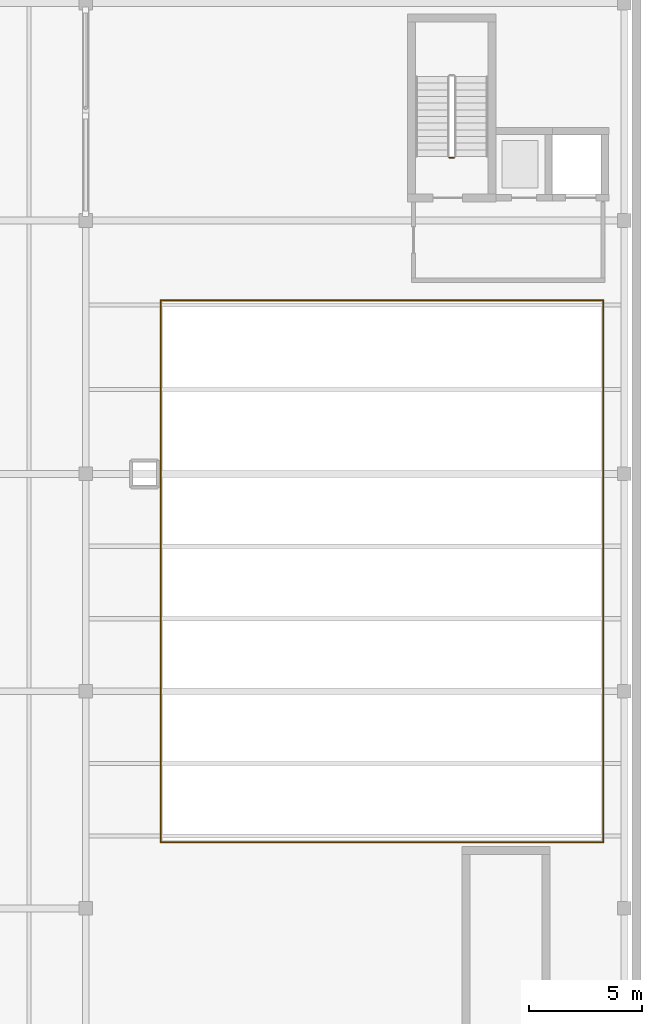
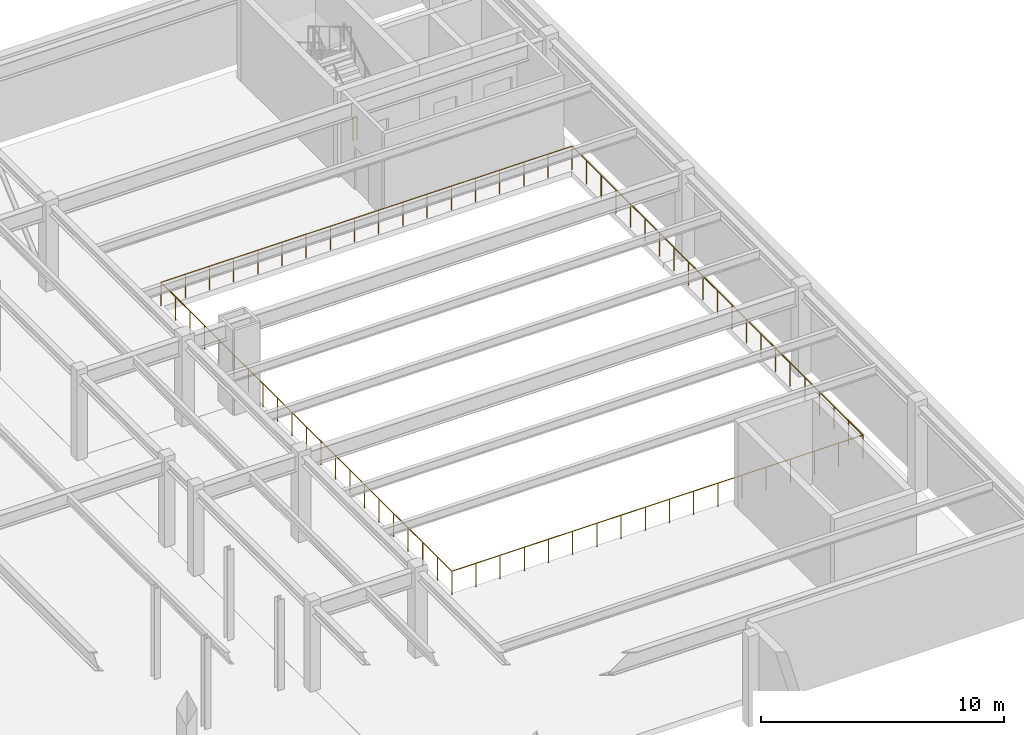
# One storey, part 28 of 32: 5 railings.
"""IFC4 building model written with IfcOpenShell, lengths in metres."""

from ifc_helpers import new_model, si_unit, direction, frame, origin, origin_2d, place, context, subcontext, project, spatial, circle, extrude, material, layer, layer_set, type_object, element, save


model = new_model("IFC4")

# Units and contexts
model_context = context("Model", 3, precision=1e-05, world=origin(), true_north=direction((0.0, 1.0)))
body_context = subcontext(model_context, "Body", "Model", "MODEL_VIEW")
ifc_project = project(units=[si_unit("LENGTHUNIT", "METRE"), si_unit("AREAUNIT", "SQUARE_METRE"), si_unit("VOLUMEUNIT", "CUBIC_METRE"), si_unit("PLANEANGLEUNIT", "RADIAN"), si_unit("MASSUNIT", "GRAM", prefix="KILO")], contexts=[model_context])

# Site, building, storey
site_placement = place(None, origin())
site = spatial("IfcSite", under=ifc_project, at=site_placement, CompositionType="ELEMENT")
building_placement = place(site_placement, origin())
building = spatial("IfcBuilding", under=site, at=building_placement, Name="Nordkorset Police Headquarters", CompositionType="ELEMENT")
storey_placement = place(building_placement, frame((0.0, 0.0, -4.550048828125)))
storey = spatial("IfcBuildingStorey", under=building, at=storey_placement, Name="B01", CompositionType="ELEMENT", Elevation=-4.550048828125)

# Railings
ifc_material = material(Name="Steel S355J2", Category="steel")
ifc_layer = layer(ifc_material, 0.050048828125, Name="Steel S355J2")
ifc_layer_set = layer_set([ifc_layer], Name="Steel S355J2")
railing_type = type_object("IfcRailingType", Name="Railing_StairGuard_1200", PredefinedType="GUARDRAIL", material=ifc_layer_set)
railing_1_placement = place(storey_placement, frame((107.675048828125, 90.77490234375, 0.0)))
element("IfcRailing", 1, at=railing_1_placement, inside=storey, type_object=railing_type, Name="B01 ST-05 stair guard 4", PredefinedType="GUARDRAIL", context=body_context, shape_type="SweptSolid", body=[
    extrude(circle(Radius=0.02392578125, at=origin_2d()), frame((0.0, 0.0, 1.17578125), z_axis=(-1.0, 0.0, 0.0), x_axis=(0.0, -1.0, 0.0)), (0.0, 0.0, 1.0), 0.199951171875),
    extrude(circle(Radius=0.02099609375, at=origin_2d()), origin(), (0.0, 0.0, 1.0), 1.15185546875),
    extrude(circle(Radius=0.02099609375, at=origin_2d()), frame((-0.199951171875, 0.0, 0.0)), (0.0, 0.0, 1.0), 1.15185546875),
])
railing_2_placement = place(storey_placement, frame((94.719970703125, 60.52001953125, 0.0)))
element("IfcRailing", 2, at=railing_2_placement, inside=storey, type_object=railing_type, Name="Double-Height Void Guardrail B01-1", PredefinedType="GUARDRAIL", context=body_context, shape_type="SweptSolid", body=[
    extrude(circle(Radius=0.02392578125, at=origin_2d()), frame((0.0, 0.0, 1.17578125), z_axis=(1.0, 0.0, 0.0), x_axis=(0.0, 1.0, 0.0)), (0.0, 0.0, 1.0), 19.56005859375),
    extrude(circle(Radius=0.02099609375, at=origin_2d()), origin(), (0.0, 0.0, 1.0), 1.15185546875),
    extrude(circle(Radius=0.02099609375, at=origin_2d()), frame((1.150634765625, 0.0, 0.0)), (0.0, 0.0, 1.0), 1.15185546875),
    extrude(circle(Radius=0.02099609375, at=origin_2d()), frame((2.30126953125, 0.0, 0.0)), (0.0, 0.0, 1.0), 1.15185546875),
    extrude(circle(Radius=0.02099609375, at=origin_2d()), frame((3.45166015625, 0.0, 0.0)), (0.0, 0.0, 1.0), 1.15185546875),
    extrude(circle(Radius=0.02099609375, at=origin_2d()), frame((4.602294921875, 0.0, 0.0)), (0.0, 0.0, 1.0), 1.15185546875),
    extrude(circle(Radius=0.02099609375, at=origin_2d()), frame((5.7529296875, 0.0, 0.0)), (0.0, 0.0, 1.0), 1.15185546875),
    extrude(circle(Radius=0.02099609375, at=origin_2d()), frame((6.903564453125, 0.0, 0.0)), (0.0, 0.0, 1.0), 1.15185546875),
    extrude(circle(Radius=0.02099609375, at=origin_2d()), frame((8.05419921875, 0.0, 0.0)), (0.0, 0.0, 1.0), 1.15185546875),
    extrude(circle(Radius=0.02099609375, at=origin_2d()), frame((9.204833984375, 0.0, 0.0)), (0.0, 0.0, 1.0), 1.15185546875),
    extrude(circle(Radius=0.02099609375, at=origin_2d()), frame((10.355224609375, 0.0, 0.0)), (0.0, 0.0, 1.0), 1.15185546875),
    extrude(circle(Radius=0.02099609375, at=origin_2d()), frame((11.505859375, 0.0, 0.0)), (0.0, 0.0, 1.0), 1.15185546875),
    extrude(circle(Radius=0.02099609375, at=origin_2d()), frame((12.656494140625, 0.0, 0.0)), (0.0, 0.0, 1.0), 1.15185546875),
    extrude(circle(Radius=0.02099609375, at=origin_2d()), frame((13.80712890625, 0.0, 0.0)), (0.0, 0.0, 1.0), 1.15185546875),
    extrude(circle(Radius=0.02099609375, at=origin_2d()), frame((14.957763671875, 0.0, 0.0)), (0.0, 0.0, 1.0), 1.15185546875),
    extrude(circle(Radius=0.02099609375, at=origin_2d()), frame((16.1083984375, 0.0, 0.0)), (0.0, 0.0, 1.0), 1.15185546875),
    extrude(circle(Radius=0.02099609375, at=origin_2d()), frame((17.2587890625, 0.0, 0.0)), (0.0, 0.0, 1.0), 1.15185546875),
    extrude(circle(Radius=0.02099609375, at=origin_2d()), frame((18.409423828125, 0.0, 0.0)), (0.0, 0.0, 1.0), 1.15185546875),
    extrude(circle(Radius=0.02099609375, at=origin_2d()), frame((19.56005859375, 0.0, 0.0)), (0.0, 0.0, 1.0), 1.15185546875),
])
railing_3_placement = place(storey_placement, frame((114.280029296875, 60.52001953125, 0.0)))
element("IfcRailing", 3, at=railing_3_placement, inside=storey, type_object=railing_type, Name="Double-Height Void Guardrail B01-2", PredefinedType="GUARDRAIL", context=body_context, shape_type="SweptSolid", body=[
    extrude(circle(Radius=0.02392578125, at=origin_2d()), frame((0.0, 0.0, 1.17578125), z_axis=(0.0, 1.0, 0.0), x_axis=(-1.0, 0.0, 0.0)), (0.0, 0.0, 1.0), 23.9599609375),
    extrude(circle(Radius=0.02099609375, at=origin_2d()), origin(), (0.0, 0.0, 1.0), 1.15185546875),
    extrude(circle(Radius=0.02099609375, at=origin_2d()), frame((0.0, 1.197998046875, 0.0)), (0.0, 0.0, 1.0), 1.15185546875),
    extrude(circle(Radius=0.02099609375, at=origin_2d()), frame((0.0, 2.39599609375, 0.0)), (0.0, 0.0, 1.0), 1.15185546875),
    extrude(circle(Radius=0.02099609375, at=origin_2d()), frame((0.0, 3.593994140625, 0.0)), (0.0, 0.0, 1.0), 1.15185546875),
    extrude(circle(Radius=0.02099609375, at=origin_2d()), frame((0.0, 4.7919921875, 0.0)), (0.0, 0.0, 1.0), 1.15185546875),
    extrude(circle(Radius=0.02099609375, at=origin_2d()), frame((0.0, 5.989990234375, 0.0)), (0.0, 0.0, 1.0), 1.15185546875),
    extrude(circle(Radius=0.02099609375, at=origin_2d()), frame((0.0, 7.18798828125, 0.0)), (0.0, 0.0, 1.0), 1.15185546875),
    extrude(circle(Radius=0.02099609375, at=origin_2d()), frame((0.0, 8.385986328125, 0.0)), (0.0, 0.0, 1.0), 1.15185546875),
    extrude(circle(Radius=0.02099609375, at=origin_2d()), frame((0.0, 9.583984375, 0.0)), (0.0, 0.0, 1.0), 1.15185546875),
    extrude(circle(Radius=0.02099609375, at=origin_2d()), frame((0.0, 10.781982421875, 0.0)), (0.0, 0.0, 1.0), 1.15185546875),
    extrude(circle(Radius=0.02099609375, at=origin_2d()), frame((0.0, 11.97998046875, 0.0)), (0.0, 0.0, 1.0), 1.15185546875),
    extrude(circle(Radius=0.02099609375, at=origin_2d()), frame((0.0, 13.177978515625, 0.0)), (0.0, 0.0, 1.0), 1.15185546875),
    extrude(circle(Radius=0.02099609375, at=origin_2d()), frame((0.0, 14.3759765625, 0.0)), (0.0, 0.0, 1.0), 1.15185546875),
    extrude(circle(Radius=0.02099609375, at=origin_2d()), frame((0.0, 15.573974609375, 0.0)), (0.0, 0.0, 1.0), 1.15185546875),
    extrude(circle(Radius=0.02099609375, at=origin_2d()), frame((0.0, 16.77197265625, 0.0)), (0.0, 0.0, 1.0), 1.15185546875),
    extrude(circle(Radius=0.02099609375, at=origin_2d()), frame((0.0, 17.969970703125, 0.0)), (0.0, 0.0, 1.0), 1.15185546875),
    extrude(circle(Radius=0.02099609375, at=origin_2d()), frame((0.0, 19.16796875, 0.0)), (0.0, 0.0, 1.0), 1.15185546875),
    extrude(circle(Radius=0.02099609375, at=origin_2d()), frame((0.0, 20.365966796875, 0.0)), (0.0, 0.0, 1.0), 1.15185546875),
    extrude(circle(Radius=0.02099609375, at=origin_2d()), frame((0.0, 21.56396484375, 0.0)), (0.0, 0.0, 1.0), 1.15185546875),
    extrude(circle(Radius=0.02099609375, at=origin_2d()), frame((0.0, 22.761962890625, 0.0)), (0.0, 0.0, 1.0), 1.15185546875),
    extrude(circle(Radius=0.02099609375, at=origin_2d()), frame((0.0, 23.9599609375, 0.0)), (0.0, 0.0, 1.0), 1.15185546875),
])
railing_4_placement = place(storey_placement, frame((114.280029296875, 84.47998046875, 0.0)))
element("IfcRailing", 4, at=railing_4_placement, inside=storey, type_object=railing_type, Name="Double-Height Void Guardrail B01-3", PredefinedType="GUARDRAIL", context=body_context, shape_type="SweptSolid", body=[
    extrude(circle(Radius=0.02392578125, at=origin_2d()), frame((0.0, 0.0, 1.17578125), z_axis=(-1.0, 0.0, 0.0), x_axis=(0.0, -1.0, 0.0)), (0.0, 0.0, 1.0), 19.56005859375),
    extrude(circle(Radius=0.02099609375, at=origin_2d()), origin(), (0.0, 0.0, 1.0), 1.15185546875),
    extrude(circle(Radius=0.02099609375, at=origin_2d()), frame((-1.150634765625, 0.0, 0.0)), (0.0, 0.0, 1.0), 1.15185546875),
    extrude(circle(Radius=0.02099609375, at=origin_2d()), frame((-2.30126953125, 0.0, 0.0)), (0.0, 0.0, 1.0), 1.15185546875),
    extrude(circle(Radius=0.02099609375, at=origin_2d()), frame((-3.45166015625, 0.0, 0.0)), (0.0, 0.0, 1.0), 1.15185546875),
    extrude(circle(Radius=0.02099609375, at=origin_2d()), frame((-4.602294921875, 0.0, 0.0)), (0.0, 0.0, 1.0), 1.15185546875),
    extrude(circle(Radius=0.02099609375, at=origin_2d()), frame((-5.7529296875, 0.0, 0.0)), (0.0, 0.0, 1.0), 1.15185546875),
    extrude(circle(Radius=0.02099609375, at=origin_2d()), frame((-6.903564453125, 0.0, 0.0)), (0.0, 0.0, 1.0), 1.15185546875),
    extrude(circle(Radius=0.02099609375, at=origin_2d()), frame((-8.05419921875, 0.0, 0.0)), (0.0, 0.0, 1.0), 1.15185546875),
    extrude(circle(Radius=0.02099609375, at=origin_2d()), frame((-9.204833984375, 0.0, 0.0)), (0.0, 0.0, 1.0), 1.15185546875),
    extrude(circle(Radius=0.02099609375, at=origin_2d()), frame((-10.355224609375, 0.0, 0.0)), (0.0, 0.0, 1.0), 1.15185546875),
    extrude(circle(Radius=0.02099609375, at=origin_2d()), frame((-11.505859375, 0.0, 0.0)), (0.0, 0.0, 1.0), 1.15185546875),
    extrude(circle(Radius=0.02099609375, at=origin_2d()), frame((-12.656494140625, 0.0, 0.0)), (0.0, 0.0, 1.0), 1.15185546875),
    extrude(circle(Radius=0.02099609375, at=origin_2d()), frame((-13.80712890625, 0.0, 0.0)), (0.0, 0.0, 1.0), 1.15185546875),
    extrude(circle(Radius=0.02099609375, at=origin_2d()), frame((-14.957763671875, 0.0, 0.0)), (0.0, 0.0, 1.0), 1.15185546875),
    extrude(circle(Radius=0.02099609375, at=origin_2d()), frame((-16.1083984375, 0.0, 0.0)), (0.0, 0.0, 1.0), 1.15185546875),
    extrude(circle(Radius=0.02099609375, at=origin_2d()), frame((-17.2587890625, 0.0, 0.0)), (0.0, 0.0, 1.0), 1.15185546875),
    extrude(circle(Radius=0.02099609375, at=origin_2d()), frame((-18.409423828125, 0.0, 0.0)), (0.0, 0.0, 1.0), 1.15185546875),
    extrude(circle(Radius=0.02099609375, at=origin_2d()), frame((-19.56005859375, 0.0, 0.0)), (0.0, 0.0, 1.0), 1.15185546875),
])
railing_5_placement = place(storey_placement, frame((94.719970703125, 84.47998046875, 0.0)))
element("IfcRailing", 5, at=railing_5_placement, inside=storey, type_object=railing_type, Name="Double-Height Void Guardrail B01-4", PredefinedType="GUARDRAIL", context=body_context, shape_type="SweptSolid", body=[
    extrude(circle(Radius=0.02392578125, at=origin_2d()), frame((0.0, 0.0, 1.17578125), z_axis=(0.0, -1.0, 0.0), x_axis=(1.0, 0.0, 0.0)), (0.0, 0.0, 1.0), 23.9599609375),
    extrude(circle(Radius=0.02099609375, at=origin_2d()), origin(), (0.0, 0.0, 1.0), 1.15185546875),
    extrude(circle(Radius=0.02099609375, at=origin_2d()), frame((0.0, -1.197998046875, 0.0)), (0.0, 0.0, 1.0), 1.15185546875),
    extrude(circle(Radius=0.02099609375, at=origin_2d()), frame((0.0, -2.39599609375, 0.0)), (0.0, 0.0, 1.0), 1.15185546875),
    extrude(circle(Radius=0.02099609375, at=origin_2d()), frame((0.0, -3.593994140625, 0.0)), (0.0, 0.0, 1.0), 1.15185546875),
    extrude(circle(Radius=0.02099609375, at=origin_2d()), frame((0.0, -4.7919921875, 0.0)), (0.0, 0.0, 1.0), 1.15185546875),
    extrude(circle(Radius=0.02099609375, at=origin_2d()), frame((0.0, -5.989990234375, 0.0)), (0.0, 0.0, 1.0), 1.15185546875),
    extrude(circle(Radius=0.02099609375, at=origin_2d()), frame((0.0, -7.18798828125, 0.0)), (0.0, 0.0, 1.0), 1.15185546875),
    extrude(circle(Radius=0.02099609375, at=origin_2d()), frame((0.0, -8.385986328125, 0.0)), (0.0, 0.0, 1.0), 1.15185546875),
    extrude(circle(Radius=0.02099609375, at=origin_2d()), frame((0.0, -9.583984375, 0.0)), (0.0, 0.0, 1.0), 1.15185546875),
    extrude(circle(Radius=0.02099609375, at=origin_2d()), frame((0.0, -10.781982421875, 0.0)), (0.0, 0.0, 1.0), 1.15185546875),
    extrude(circle(Radius=0.02099609375, at=origin_2d()), frame((0.0, -11.97998046875, 0.0)), (0.0, 0.0, 1.0), 1.15185546875),
    extrude(circle(Radius=0.02099609375, at=origin_2d()), frame((0.0, -13.177978515625, 0.0)), (0.0, 0.0, 1.0), 1.15185546875),
    extrude(circle(Radius=0.02099609375, at=origin_2d()), frame((0.0, -14.3759765625, 0.0)), (0.0, 0.0, 1.0), 1.15185546875),
    extrude(circle(Radius=0.02099609375, at=origin_2d()), frame((0.0, -15.573974609375, 0.0)), (0.0, 0.0, 1.0), 1.15185546875),
    extrude(circle(Radius=0.02099609375, at=origin_2d()), frame((0.0, -16.77197265625, 0.0)), (0.0, 0.0, 1.0), 1.15185546875),
    extrude(circle(Radius=0.02099609375, at=origin_2d()), frame((0.0, -17.969970703125, 0.0)), (0.0, 0.0, 1.0), 1.15185546875),
    extrude(circle(Radius=0.02099609375, at=origin_2d()), frame((0.0, -19.16796875, 0.0)), (0.0, 0.0, 1.0), 1.15185546875),
    extrude(circle(Radius=0.02099609375, at=origin_2d()), frame((0.0, -20.365966796875, 0.0)), (0.0, 0.0, 1.0), 1.15185546875),
    extrude(circle(Radius=0.02099609375, at=origin_2d()), frame((0.0, -21.56396484375, 0.0)), (0.0, 0.0, 1.0), 1.15185546875),
    extrude(circle(Radius=0.02099609375, at=origin_2d()), frame((0.0, -22.761962890625, 0.0)), (0.0, 0.0, 1.0), 1.15185546875),
    extrude(circle(Radius=0.02099609375, at=origin_2d()), frame((0.0, -23.9599609375, 0.0)), (0.0, 0.0, 1.0), 1.15185546875),
])

save(model, "model.ifc")
